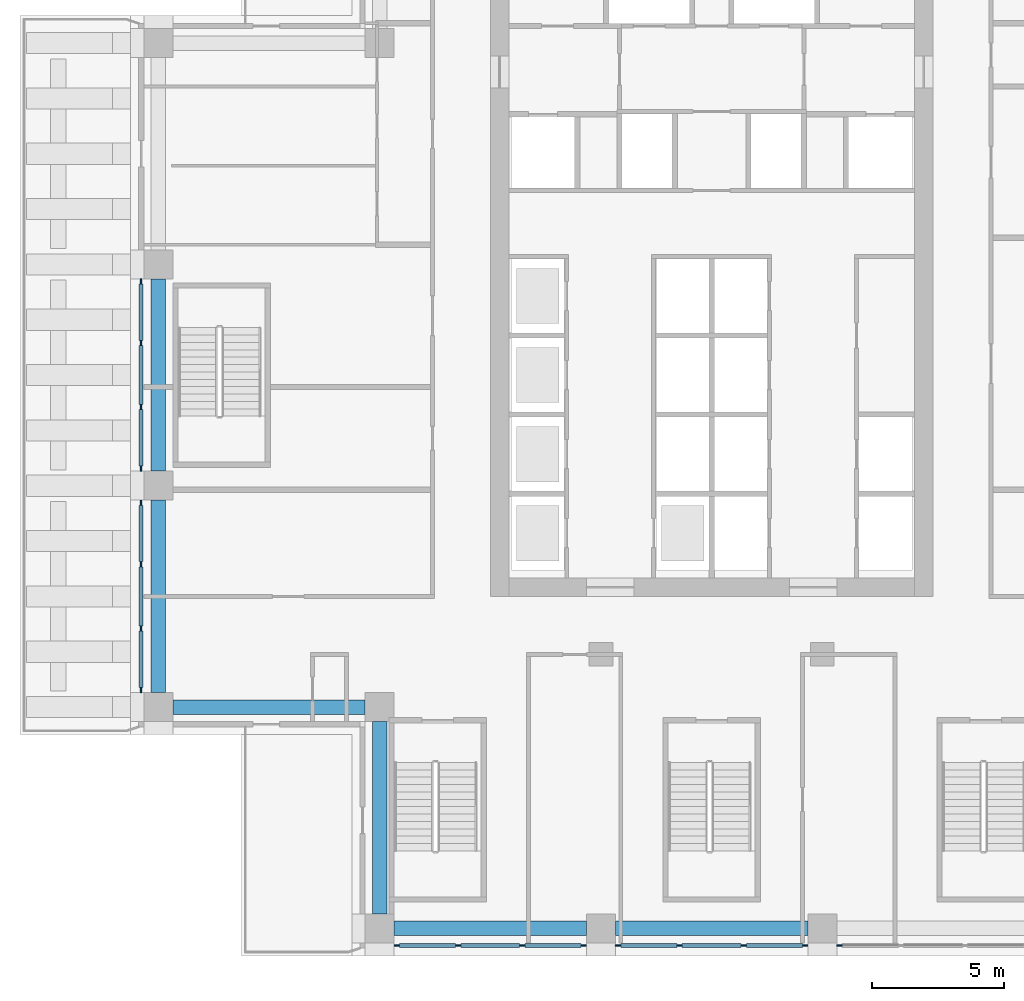
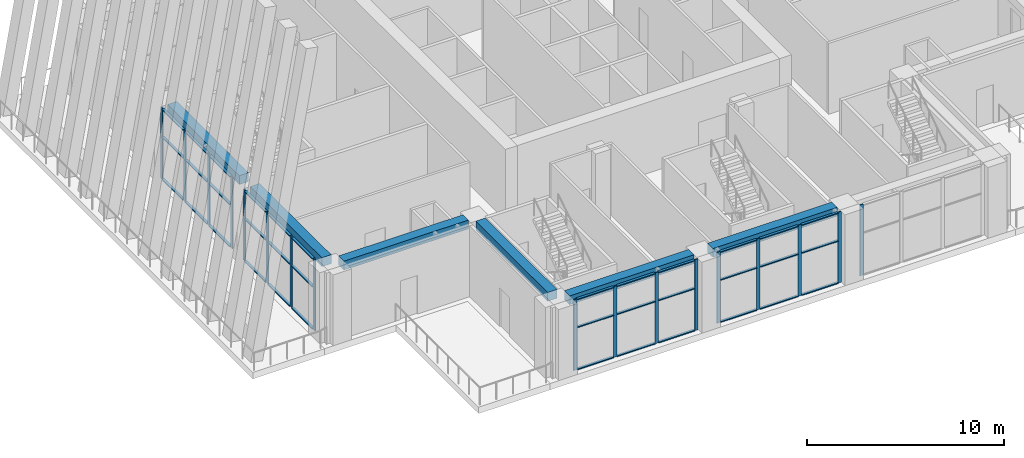
# One storey, part 2 of 19: 53 members, 6 beams, 5 elements without a shape of their own.
"""IFC4 building model written with IfcOpenShell, lengths in metres."""

from ifc_helpers import new_model, si_unit, direction, frame, origin, origin_2d, place, context, subcontext, project, spatial, rectangle, extrude, material, material_profile, profile_set, type_object, element, aggregate, save


model = new_model("IFC4")

# Units and contexts
model_context = context("Model", 3, precision=1e-05, world=origin(), true_north=direction((0.0, 1.0)))
body_context = subcontext(model_context, "Body", "Model", "MODEL_VIEW")
ifc_project = project(units=[si_unit("LENGTHUNIT", "METRE"), si_unit("AREAUNIT", "SQUARE_METRE"), si_unit("VOLUMEUNIT", "CUBIC_METRE"), si_unit("PLANEANGLEUNIT", "RADIAN"), si_unit("MASSUNIT", "GRAM", prefix="KILO")], contexts=[model_context])

# Site, building, storey
site_placement = place(None, origin())
site = spatial("IfcSite", under=ifc_project, at=site_placement, CompositionType="ELEMENT")
building_placement = place(site_placement, origin())
building = spatial("IfcBuilding", under=site, at=building_placement, Name="Vermilion Ogive Tower", CompositionType="ELEMENT")
storey_placement = place(building_placement, frame((0.0, 0.0, 128.300048828125)))
storey = spatial("IfcBuildingStorey", under=building, at=storey_placement, Name="L32", CompositionType="ELEMENT", Elevation=128.300048828125)

# Curtain wall, members
ifc_material_1 = material(Name="Low-iron laminated glazing in aluminium frame", Category="aluminium")
curtain_wall_type = type_object("IfcCurtainWallType", Name="Curtain wall CW6", PredefinedType="NOTDEFINED", material=ifc_material_1)
curtain_wall_1_placement = place(storey_placement, origin())
curtain_wall_1 = element("IfcCurtainWall", 1, at=curtain_wall_1_placement, inside=storey, type_object=curtain_wall_type, Name="CW6 sky lobby glazing S1", PredefinedType="NOTDEFINED")
ifc_material_2 = material(Name="Aluminium mullion", Category="aluminium")
ifc_material_profile_1 = material_profile(ifc_material_2, rectangle(XDim=0.06005859375, YDim=0.199951171875, at=origin_2d()), Name="AL 60x200")
ifc_profile_set_1 = profile_set([ifc_material_profile_1], Name="Aluminium mullion")
member_type_1 = type_object("IfcMemberType", Name="CW6 mullion 60x200", PredefinedType="MULLION", material=ifc_profile_set_1)
member_1_placement = place(storey_placement, frame((-11.949951171875, -21.64990234375, 0.0), z_axis=(0.0, 0.0, 1.0), x_axis=(0.0, 1.0, 0.0)))
member_1 = element("IfcMember", 2, at=member_1_placement, type_object=member_type_1, Name="CW6-S1 mullion 1", PredefinedType="MULLION", context=body_context, shape_type="SweptSolid", body=[
    extrude(rectangle(XDim=0.06005859375, YDim=0.199951171875, at=origin_2d()), origin(), (0.0, 0.0, 1.0), 4.39990234375),
])
member_2_placement = place(storey_placement, frame((-9.61669921875, -21.64990234375, 0.0), z_axis=(0.0, 0.0, 1.0), x_axis=(0.0, 1.0, 0.0)))
member_2 = element("IfcMember", 3, at=member_2_placement, type_object=member_type_1, Name="CW6-S1 mullion 2", PredefinedType="MULLION", context=body_context, shape_type="SweptSolid", body=[
    extrude(rectangle(XDim=0.06005859375, YDim=0.199951171875, at=origin_2d()), origin(), (0.0, 0.0, 1.0), 4.39990234375),
])
member_3_placement = place(storey_placement, frame((-7.183349609375, -21.64990234375, 0.0), z_axis=(0.0, 0.0, 1.0), x_axis=(0.0, 1.0, 0.0)))
member_3 = element("IfcMember", 4, at=member_3_placement, type_object=member_type_1, Name="CW6-S1 mullion 3", PredefinedType="MULLION", context=body_context, shape_type="SweptSolid", body=[
    extrude(rectangle(XDim=0.06005859375, YDim=0.199951171875, at=origin_2d()), origin(), (0.0, 0.0, 1.0), 4.39990234375),
])
member_4_placement = place(storey_placement, frame((-4.85009765625, -21.64990234375, 0.0), z_axis=(0.0, 0.0, 1.0), x_axis=(0.0, 1.0, 0.0)))
member_4 = element("IfcMember", 5, at=member_4_placement, type_object=member_type_1, Name="CW6-S1 mullion 4", PredefinedType="MULLION", context=body_context, shape_type="SweptSolid", body=[
    extrude(rectangle(XDim=0.06005859375, YDim=0.199951171875, at=origin_2d()), origin(), (0.0, 0.0, 1.0), 4.39990234375),
])

curtain_wall_2_placement = place(storey_placement, origin())
curtain_wall_2 = element("IfcCurtainWall", 6, at=curtain_wall_2_placement, inside=storey, type_object=curtain_wall_type, Name="CW6 sky lobby glazing S2", PredefinedType="NOTDEFINED")
member_5_placement = place(storey_placement, frame((-3.550048828125, -21.64990234375, 0.0), z_axis=(0.0, 0.0, 1.0), x_axis=(0.0, 1.0, 0.0)))
member_5 = element("IfcMember", 7, at=member_5_placement, type_object=member_type_1, Name="CW6-S2 mullion 1", PredefinedType="MULLION", context=body_context, shape_type="SweptSolid", body=[
    extrude(rectangle(XDim=0.06005859375, YDim=0.199951171875, at=origin_2d()), origin(), (0.0, 0.0, 1.0), 4.39990234375),
])
member_6_placement = place(storey_placement, frame((-1.216552734375, -21.64990234375, 0.0), z_axis=(0.0, 0.0, 1.0), x_axis=(0.0, 1.0, 0.0)))
member_6 = element("IfcMember", 8, at=member_6_placement, type_object=member_type_1, Name="CW6-S2 mullion 2", PredefinedType="MULLION", context=body_context, shape_type="SweptSolid", body=[
    extrude(rectangle(XDim=0.06005859375, YDim=0.199951171875, at=origin_2d()), origin(), (0.0, 0.0, 1.0), 4.39990234375),
])
member_7_placement = place(storey_placement, frame((1.216552734375, -21.64990234375, 0.0), z_axis=(0.0, 0.0, 1.0), x_axis=(0.0, 1.0, 0.0)))
member_7 = element("IfcMember", 9, at=member_7_placement, type_object=member_type_1, Name="CW6-S2 mullion 3", PredefinedType="MULLION", context=body_context, shape_type="SweptSolid", body=[
    extrude(rectangle(XDim=0.06005859375, YDim=0.199951171875, at=origin_2d()), origin(), (0.0, 0.0, 1.0), 4.39990234375),
])
member_8_placement = place(storey_placement, frame((3.550048828125, -21.64990234375, 0.0), z_axis=(0.0, 0.0, 1.0), x_axis=(0.0, 1.0, 0.0)))
member_8 = element("IfcMember", 10, at=member_8_placement, type_object=member_type_1, Name="CW6-S2 mullion 4", PredefinedType="MULLION", context=body_context, shape_type="SweptSolid", body=[
    extrude(rectangle(XDim=0.06005859375, YDim=0.199951171875, at=origin_2d()), origin(), (0.0, 0.0, 1.0), 4.39990234375),
])

# Curtain wall, member
curtain_wall_3_placement = place(storey_placement, origin())
curtain_wall_3 = element("IfcCurtainWall", 11, at=curtain_wall_3_placement, inside=storey, type_object=curtain_wall_type, Name="CW6 sky lobby glazing S3", PredefinedType="NOTDEFINED")
member_9_placement = place(storey_placement, frame((4.85009765625, -21.64990234375, 0.0), z_axis=(0.0, 0.0, 1.0), x_axis=(0.0, 1.0, 0.0)))
member_9 = element("IfcMember", 12, at=member_9_placement, type_object=member_type_1, Name="CW6-S3 mullion 1", PredefinedType="MULLION", context=body_context, shape_type="SweptSolid", body=[
    extrude(rectangle(XDim=0.06005859375, YDim=0.199951171875, at=origin_2d()), origin(), (0.0, 0.0, 1.0), 4.39990234375),
])
aggregate(curtain_wall_3, [member_9])

# Curtain wall, members
curtain_wall_4_placement = place(storey_placement, origin())
curtain_wall_4 = element("IfcCurtainWall", 13, at=curtain_wall_4_placement, inside=storey, type_object=curtain_wall_type, Name="CW6 sky lobby glazing W2", PredefinedType="NOTDEFINED")
member_10_placement = place(storey_placement, frame((-21.64990234375, 3.550048828125, 0.0), z_axis=(0.0, 0.0, 1.0), x_axis=(1.0, 0.0, 0.0)))
member_10 = element("IfcMember", 14, at=member_10_placement, type_object=member_type_1, Name="CW6-W2 mullion 1", PredefinedType="MULLION", context=body_context, shape_type="SweptSolid", body=[
    extrude(rectangle(XDim=0.06005859375, YDim=0.199951171875, at=origin_2d()), origin(), (0.0, 0.0, 1.0), 4.39990234375),
])
member_11_placement = place(storey_placement, frame((-21.64990234375, 1.216552734375, 0.0), z_axis=(0.0, 0.0, 1.0), x_axis=(1.0, 0.0, 0.0)))
member_11 = element("IfcMember", 15, at=member_11_placement, type_object=member_type_1, Name="CW6-W2 mullion 2", PredefinedType="MULLION", context=body_context, shape_type="SweptSolid", body=[
    extrude(rectangle(XDim=0.06005859375, YDim=0.199951171875, at=origin_2d()), origin(), (0.0, 0.0, 1.0), 4.39990234375),
])
member_12_placement = place(storey_placement, frame((-21.64990234375, -1.216552734375, 0.0), z_axis=(0.0, 0.0, 1.0), x_axis=(1.0, 0.0, 0.0)))
member_12 = element("IfcMember", 16, at=member_12_placement, type_object=member_type_1, Name="CW6-W2 mullion 3", PredefinedType="MULLION", context=body_context, shape_type="SweptSolid", body=[
    extrude(rectangle(XDim=0.06005859375, YDim=0.199951171875, at=origin_2d()), origin(), (0.0, 0.0, 1.0), 4.39990234375),
])
member_13_placement = place(storey_placement, frame((-21.64990234375, -3.550048828125, 0.0), z_axis=(0.0, 0.0, 1.0), x_axis=(1.0, 0.0, 0.0)))
member_13 = element("IfcMember", 17, at=member_13_placement, type_object=member_type_1, Name="CW6-W2 mullion 4", PredefinedType="MULLION", context=body_context, shape_type="SweptSolid", body=[
    extrude(rectangle(XDim=0.06005859375, YDim=0.199951171875, at=origin_2d()), origin(), (0.0, 0.0, 1.0), 4.39990234375),
])

curtain_wall_5_placement = place(storey_placement, origin())
curtain_wall_5 = element("IfcCurtainWall", 18, at=curtain_wall_5_placement, inside=storey, type_object=curtain_wall_type, Name="CW6 sky lobby glazing W3", PredefinedType="NOTDEFINED")
member_14_placement = place(storey_placement, frame((-21.64990234375, -4.85009765625, 0.0), z_axis=(0.0, 0.0, 1.0), x_axis=(1.0, 0.0, 0.0)))
member_14 = element("IfcMember", 19, at=member_14_placement, type_object=member_type_1, Name="CW6-W3 mullion 1", PredefinedType="MULLION", context=body_context, shape_type="SweptSolid", body=[
    extrude(rectangle(XDim=0.06005859375, YDim=0.199951171875, at=origin_2d()), origin(), (0.0, 0.0, 1.0), 4.39990234375),
])
member_15_placement = place(storey_placement, frame((-21.64990234375, -7.183349609375, 0.0), z_axis=(0.0, 0.0, 1.0), x_axis=(1.0, 0.0, 0.0)))
member_15 = element("IfcMember", 20, at=member_15_placement, type_object=member_type_1, Name="CW6-W3 mullion 2", PredefinedType="MULLION", context=body_context, shape_type="SweptSolid", body=[
    extrude(rectangle(XDim=0.06005859375, YDim=0.199951171875, at=origin_2d()), origin(), (0.0, 0.0, 1.0), 4.39990234375),
])
member_16_placement = place(storey_placement, frame((-21.64990234375, -9.61669921875, 0.0), z_axis=(0.0, 0.0, 1.0), x_axis=(1.0, 0.0, 0.0)))
member_16 = element("IfcMember", 21, at=member_16_placement, type_object=member_type_1, Name="CW6-W3 mullion 3", PredefinedType="MULLION", context=body_context, shape_type="SweptSolid", body=[
    extrude(rectangle(XDim=0.06005859375, YDim=0.199951171875, at=origin_2d()), origin(), (0.0, 0.0, 1.0), 4.39990234375),
])
member_17_placement = place(storey_placement, frame((-21.64990234375, -11.949951171875, 0.0), z_axis=(0.0, 0.0, 1.0), x_axis=(1.0, 0.0, 0.0)))
member_17 = element("IfcMember", 22, at=member_17_placement, type_object=member_type_1, Name="CW6-W3 mullion 4", PredefinedType="MULLION", context=body_context, shape_type="SweptSolid", body=[
    extrude(rectangle(XDim=0.06005859375, YDim=0.199951171875, at=origin_2d()), origin(), (0.0, 0.0, 1.0), 4.39990234375),
])

# Member
ifc_material_3 = material(Name="Aluminium transom", Category="aluminium")
ifc_material_profile_2 = material_profile(ifc_material_3, rectangle(XDim=0.14990234375, YDim=0.06005859375, at=origin_2d()), Name="AL 60x150")
ifc_profile_set_2 = profile_set([ifc_material_profile_2], Name="Aluminium transom")
member_type_2 = type_object("IfcMemberType", Name="CW6 transom 60x150", PredefinedType="USERDEFINED", material=ifc_profile_set_2)
member_18_placement = place(storey_placement, frame((-11.85009765625, -21.64990234375, 0.030029296875), z_axis=(1.0, 0.0, 0.0), x_axis=(0.0, 1.0, 0.0)))
member_18 = element("IfcMember", 23, at=member_18_placement, type_object=member_type_2, Name="CW6-S1 transom 1.1", ObjectType="TRANSOM", PredefinedType="USERDEFINED", context=body_context, shape_type="SweptSolid", body=[
    extrude(rectangle(XDim=0.14990234375, YDim=0.06005859375, at=origin_2d()), origin(), (0.0, 0.0, 1.0), 2.133544921875),
])

member_19_placement = place(storey_placement, frame((-11.85009765625, -21.64990234375, 2.639892578125), z_axis=(1.0, 0.0, 0.0), x_axis=(0.0, 1.0, 0.0)))
member_19 = element("IfcMember", 24, at=member_19_placement, type_object=member_type_2, Name="CW6-S1 transom 1.2", ObjectType="TRANSOM", PredefinedType="USERDEFINED", context=body_context, shape_type="SweptSolid", body=[
    extrude(rectangle(XDim=0.14990234375, YDim=0.06005859375, at=origin_2d()), origin(), (0.0, 0.0, 1.0), 2.133544921875),
])

member_20_placement = place(storey_placement, frame((-11.85009765625, -21.64990234375, 4.369873046875), z_axis=(1.0, 0.0, 0.0), x_axis=(0.0, 1.0, 0.0)))
member_20 = element("IfcMember", 25, at=member_20_placement, type_object=member_type_2, Name="CW6-S1 transom 1.3", ObjectType="TRANSOM", PredefinedType="USERDEFINED", context=body_context, shape_type="SweptSolid", body=[
    extrude(rectangle(XDim=0.14990234375, YDim=0.06005859375, at=origin_2d()), origin(), (0.0, 0.0, 1.0), 2.133544921875),
])

member_21_placement = place(storey_placement, frame((-9.5166015625, -21.64990234375, 0.030029296875), z_axis=(1.0, 0.0, 0.0), x_axis=(0.0, 1.0, 0.0)))
member_21 = element("IfcMember", 26, at=member_21_placement, type_object=member_type_2, Name="CW6-S1 transom 2.1", ObjectType="TRANSOM", PredefinedType="USERDEFINED", context=body_context, shape_type="SweptSolid", body=[
    extrude(rectangle(XDim=0.14990234375, YDim=0.06005859375, at=origin_2d()), origin(), (0.0, 0.0, 1.0), 2.233154296875),
])

member_22_placement = place(storey_placement, frame((-9.5166015625, -21.64990234375, 2.639892578125), z_axis=(1.0, 0.0, 0.0), x_axis=(0.0, 1.0, 0.0)))
member_22 = element("IfcMember", 27, at=member_22_placement, type_object=member_type_2, Name="CW6-S1 transom 2.2", ObjectType="TRANSOM", PredefinedType="USERDEFINED", context=body_context, shape_type="SweptSolid", body=[
    extrude(rectangle(XDim=0.14990234375, YDim=0.06005859375, at=origin_2d()), origin(), (0.0, 0.0, 1.0), 2.233154296875),
])

member_23_placement = place(storey_placement, frame((-9.5166015625, -21.64990234375, 4.369873046875), z_axis=(1.0, 0.0, 0.0), x_axis=(0.0, 1.0, 0.0)))
member_23 = element("IfcMember", 28, at=member_23_placement, type_object=member_type_2, Name="CW6-S1 transom 2.3", ObjectType="TRANSOM", PredefinedType="USERDEFINED", context=body_context, shape_type="SweptSolid", body=[
    extrude(rectangle(XDim=0.14990234375, YDim=0.06005859375, at=origin_2d()), origin(), (0.0, 0.0, 1.0), 2.233154296875),
])

member_24_placement = place(storey_placement, frame((-7.083251953125, -21.64990234375, 0.030029296875), z_axis=(1.0, 0.0, 0.0), x_axis=(0.0, 1.0, 0.0)))
member_24 = element("IfcMember", 29, at=member_24_placement, type_object=member_type_2, Name="CW6-S1 transom 3.1", ObjectType="TRANSOM", PredefinedType="USERDEFINED", context=body_context, shape_type="SweptSolid", body=[
    extrude(rectangle(XDim=0.14990234375, YDim=0.06005859375, at=origin_2d()), origin(), (0.0, 0.0, 1.0), 2.13330078125),
])

member_25_placement = place(storey_placement, frame((-7.083251953125, -21.64990234375, 2.639892578125), z_axis=(1.0, 0.0, 0.0), x_axis=(0.0, 1.0, 0.0)))
member_25 = element("IfcMember", 30, at=member_25_placement, type_object=member_type_2, Name="CW6-S1 transom 3.2", ObjectType="TRANSOM", PredefinedType="USERDEFINED", context=body_context, shape_type="SweptSolid", body=[
    extrude(rectangle(XDim=0.14990234375, YDim=0.06005859375, at=origin_2d()), origin(), (0.0, 0.0, 1.0), 2.13330078125),
])

member_26_placement = place(storey_placement, frame((-7.083251953125, -21.64990234375, 4.369873046875), z_axis=(1.0, 0.0, 0.0), x_axis=(0.0, 1.0, 0.0)))
member_26 = element("IfcMember", 31, at=member_26_placement, type_object=member_type_2, Name="CW6-S1 transom 3.3", ObjectType="TRANSOM", PredefinedType="USERDEFINED", context=body_context, shape_type="SweptSolid", body=[
    extrude(rectangle(XDim=0.14990234375, YDim=0.06005859375, at=origin_2d()), origin(), (0.0, 0.0, 1.0), 2.13330078125),
])

aggregate(curtain_wall_1, [member_1, member_2, member_3, member_4, member_18, member_19, member_20, member_21, member_22, member_23, member_24, member_25, member_26])

member_27_placement = place(storey_placement, frame((-3.449951171875, -21.64990234375, 0.030029296875), z_axis=(1.0, 0.0, 0.0), x_axis=(0.0, 1.0, 0.0)))
member_27 = element("IfcMember", 32, at=member_27_placement, type_object=member_type_2, Name="CW6-S2 transom 1.1", ObjectType="TRANSOM", PredefinedType="USERDEFINED", context=body_context, shape_type="SweptSolid", body=[
    extrude(rectangle(XDim=0.14990234375, YDim=0.06005859375, at=origin_2d()), origin(), (0.0, 0.0, 1.0), 2.13330078125),
])

member_28_placement = place(storey_placement, frame((-3.449951171875, -21.64990234375, 2.639892578125), z_axis=(1.0, 0.0, 0.0), x_axis=(0.0, 1.0, 0.0)))
member_28 = element("IfcMember", 33, at=member_28_placement, type_object=member_type_2, Name="CW6-S2 transom 1.2", ObjectType="TRANSOM", PredefinedType="USERDEFINED", context=body_context, shape_type="SweptSolid", body=[
    extrude(rectangle(XDim=0.14990234375, YDim=0.06005859375, at=origin_2d()), origin(), (0.0, 0.0, 1.0), 2.13330078125),
])

member_29_placement = place(storey_placement, frame((-3.449951171875, -21.64990234375, 4.369873046875), z_axis=(1.0, 0.0, 0.0), x_axis=(0.0, 1.0, 0.0)))
member_29 = element("IfcMember", 34, at=member_29_placement, type_object=member_type_2, Name="CW6-S2 transom 1.3", ObjectType="TRANSOM", PredefinedType="USERDEFINED", context=body_context, shape_type="SweptSolid", body=[
    extrude(rectangle(XDim=0.14990234375, YDim=0.06005859375, at=origin_2d()), origin(), (0.0, 0.0, 1.0), 2.13330078125),
])

member_30_placement = place(storey_placement, frame((-1.11669921875, -21.64990234375, 0.030029296875), z_axis=(1.0, 0.0, 0.0), x_axis=(0.0, 1.0, 0.0)))
member_30 = element("IfcMember", 35, at=member_30_placement, type_object=member_type_2, Name="CW6-S2 transom 2.1", ObjectType="TRANSOM", PredefinedType="USERDEFINED", context=body_context, shape_type="SweptSolid", body=[
    extrude(rectangle(XDim=0.14990234375, YDim=0.06005859375, at=origin_2d()), origin(), (0.0, 0.0, 1.0), 2.2333984375),
])

member_31_placement = place(storey_placement, frame((-1.11669921875, -21.64990234375, 2.639892578125), z_axis=(1.0, 0.0, 0.0), x_axis=(0.0, 1.0, 0.0)))
member_31 = element("IfcMember", 36, at=member_31_placement, type_object=member_type_2, Name="CW6-S2 transom 2.2", ObjectType="TRANSOM", PredefinedType="USERDEFINED", context=body_context, shape_type="SweptSolid", body=[
    extrude(rectangle(XDim=0.14990234375, YDim=0.06005859375, at=origin_2d()), origin(), (0.0, 0.0, 1.0), 2.2333984375),
])

member_32_placement = place(storey_placement, frame((-1.11669921875, -21.64990234375, 4.369873046875), z_axis=(1.0, 0.0, 0.0), x_axis=(0.0, 1.0, 0.0)))
member_32 = element("IfcMember", 37, at=member_32_placement, type_object=member_type_2, Name="CW6-S2 transom 2.3", ObjectType="TRANSOM", PredefinedType="USERDEFINED", context=body_context, shape_type="SweptSolid", body=[
    extrude(rectangle(XDim=0.14990234375, YDim=0.06005859375, at=origin_2d()), origin(), (0.0, 0.0, 1.0), 2.2333984375),
])

member_33_placement = place(storey_placement, frame((1.316650390625, -21.64990234375, 0.030029296875), z_axis=(1.0, 0.0, 0.0), x_axis=(0.0, 1.0, 0.0)))
member_33 = element("IfcMember", 38, at=member_33_placement, type_object=member_type_2, Name="CW6-S2 transom 3.1", ObjectType="TRANSOM", PredefinedType="USERDEFINED", context=body_context, shape_type="SweptSolid", body=[
    extrude(rectangle(XDim=0.14990234375, YDim=0.06005859375, at=origin_2d()), origin(), (0.0, 0.0, 1.0), 2.13330078125),
])

member_34_placement = place(storey_placement, frame((1.316650390625, -21.64990234375, 2.639892578125), z_axis=(1.0, 0.0, 0.0), x_axis=(0.0, 1.0, 0.0)))
member_34 = element("IfcMember", 39, at=member_34_placement, type_object=member_type_2, Name="CW6-S2 transom 3.2", ObjectType="TRANSOM", PredefinedType="USERDEFINED", context=body_context, shape_type="SweptSolid", body=[
    extrude(rectangle(XDim=0.14990234375, YDim=0.06005859375, at=origin_2d()), origin(), (0.0, 0.0, 1.0), 2.13330078125),
])

member_35_placement = place(storey_placement, frame((1.316650390625, -21.64990234375, 4.369873046875), z_axis=(1.0, 0.0, 0.0), x_axis=(0.0, 1.0, 0.0)))
member_35 = element("IfcMember", 40, at=member_35_placement, type_object=member_type_2, Name="CW6-S2 transom 3.3", ObjectType="TRANSOM", PredefinedType="USERDEFINED", context=body_context, shape_type="SweptSolid", body=[
    extrude(rectangle(XDim=0.14990234375, YDim=0.06005859375, at=origin_2d()), origin(), (0.0, 0.0, 1.0), 2.13330078125),
])

aggregate(curtain_wall_2, [member_5, member_6, member_7, member_8, member_27, member_28, member_29, member_30, member_31, member_32, member_33, member_34, member_35])

member_36_placement = place(storey_placement, frame((-21.64990234375, 3.449951171875, 0.030029296875), z_axis=(0.0, -1.0, 0.0), x_axis=(1.0, 0.0, 0.0)))
member_36 = element("IfcMember", 41, at=member_36_placement, type_object=member_type_2, Name="CW6-W2 transom 1.1", ObjectType="TRANSOM", PredefinedType="USERDEFINED", context=body_context, shape_type="SweptSolid", body=[
    extrude(rectangle(XDim=0.14990234375, YDim=0.06005859375, at=origin_2d()), origin(), (0.0, 0.0, 1.0), 2.13330078125),
])

member_37_placement = place(storey_placement, frame((-21.64990234375, 3.449951171875, 2.639892578125), z_axis=(0.0, -1.0, 0.0), x_axis=(1.0, 0.0, 0.0)))
member_37 = element("IfcMember", 42, at=member_37_placement, type_object=member_type_2, Name="CW6-W2 transom 1.2", ObjectType="TRANSOM", PredefinedType="USERDEFINED", context=body_context, shape_type="SweptSolid", body=[
    extrude(rectangle(XDim=0.14990234375, YDim=0.06005859375, at=origin_2d()), origin(), (0.0, 0.0, 1.0), 2.13330078125),
])

member_38_placement = place(storey_placement, frame((-21.64990234375, 3.449951171875, 4.369873046875), z_axis=(0.0, -1.0, 0.0), x_axis=(1.0, 0.0, 0.0)))
member_38 = element("IfcMember", 43, at=member_38_placement, type_object=member_type_2, Name="CW6-W2 transom 1.3", ObjectType="TRANSOM", PredefinedType="USERDEFINED", context=body_context, shape_type="SweptSolid", body=[
    extrude(rectangle(XDim=0.14990234375, YDim=0.06005859375, at=origin_2d()), origin(), (0.0, 0.0, 1.0), 2.13330078125),
])

member_39_placement = place(storey_placement, frame((-21.64990234375, 1.11669921875, 0.030029296875), z_axis=(0.0, -1.0, 0.0), x_axis=(1.0, 0.0, 0.0)))
member_39 = element("IfcMember", 44, at=member_39_placement, type_object=member_type_2, Name="CW6-W2 transom 2.1", ObjectType="TRANSOM", PredefinedType="USERDEFINED", context=body_context, shape_type="SweptSolid", body=[
    extrude(rectangle(XDim=0.14990234375, YDim=0.06005859375, at=origin_2d()), origin(), (0.0, 0.0, 1.0), 2.2333984375),
])

member_40_placement = place(storey_placement, frame((-21.64990234375, 1.11669921875, 2.639892578125), z_axis=(0.0, -1.0, 0.0), x_axis=(1.0, 0.0, 0.0)))
member_40 = element("IfcMember", 45, at=member_40_placement, type_object=member_type_2, Name="CW6-W2 transom 2.2", ObjectType="TRANSOM", PredefinedType="USERDEFINED", context=body_context, shape_type="SweptSolid", body=[
    extrude(rectangle(XDim=0.14990234375, YDim=0.06005859375, at=origin_2d()), origin(), (0.0, 0.0, 1.0), 2.2333984375),
])

member_41_placement = place(storey_placement, frame((-21.64990234375, 1.11669921875, 4.369873046875), z_axis=(0.0, -1.0, 0.0), x_axis=(1.0, 0.0, 0.0)))
member_41 = element("IfcMember", 46, at=member_41_placement, type_object=member_type_2, Name="CW6-W2 transom 2.3", ObjectType="TRANSOM", PredefinedType="USERDEFINED", context=body_context, shape_type="SweptSolid", body=[
    extrude(rectangle(XDim=0.14990234375, YDim=0.06005859375, at=origin_2d()), origin(), (0.0, 0.0, 1.0), 2.2333984375),
])

member_42_placement = place(storey_placement, frame((-21.64990234375, -1.316650390625, 0.030029296875), z_axis=(0.0, -1.0, 0.0), x_axis=(1.0, 0.0, 0.0)))
member_42 = element("IfcMember", 47, at=member_42_placement, type_object=member_type_2, Name="CW6-W2 transom 3.1", ObjectType="TRANSOM", PredefinedType="USERDEFINED", context=body_context, shape_type="SweptSolid", body=[
    extrude(rectangle(XDim=0.14990234375, YDim=0.06005859375, at=origin_2d()), origin(), (0.0, 0.0, 1.0), 2.13330078125),
])

member_43_placement = place(storey_placement, frame((-21.64990234375, -1.316650390625, 2.639892578125), z_axis=(0.0, -1.0, 0.0), x_axis=(1.0, 0.0, 0.0)))
member_43 = element("IfcMember", 48, at=member_43_placement, type_object=member_type_2, Name="CW6-W2 transom 3.2", ObjectType="TRANSOM", PredefinedType="USERDEFINED", context=body_context, shape_type="SweptSolid", body=[
    extrude(rectangle(XDim=0.14990234375, YDim=0.06005859375, at=origin_2d()), origin(), (0.0, 0.0, 1.0), 2.13330078125),
])

member_44_placement = place(storey_placement, frame((-21.64990234375, -1.316650390625, 4.369873046875), z_axis=(0.0, -1.0, 0.0), x_axis=(1.0, 0.0, 0.0)))
member_44 = element("IfcMember", 49, at=member_44_placement, type_object=member_type_2, Name="CW6-W2 transom 3.3", ObjectType="TRANSOM", PredefinedType="USERDEFINED", context=body_context, shape_type="SweptSolid", body=[
    extrude(rectangle(XDim=0.14990234375, YDim=0.06005859375, at=origin_2d()), origin(), (0.0, 0.0, 1.0), 2.13330078125),
])

aggregate(curtain_wall_4, [member_10, member_11, member_12, member_13, member_36, member_37, member_38, member_39, member_40, member_41, member_42, member_43, member_44])

member_45_placement = place(storey_placement, frame((-21.64990234375, -4.949951171875, 0.030029296875), z_axis=(0.0, -1.0, 0.0), x_axis=(1.0, 0.0, 0.0)))
member_45 = element("IfcMember", 50, at=member_45_placement, type_object=member_type_2, Name="CW6-W3 transom 1.1", ObjectType="TRANSOM", PredefinedType="USERDEFINED", context=body_context, shape_type="SweptSolid", body=[
    extrude(rectangle(XDim=0.14990234375, YDim=0.06005859375, at=origin_2d()), origin(), (0.0, 0.0, 1.0), 2.13330078125),
])

member_46_placement = place(storey_placement, frame((-21.64990234375, -4.949951171875, 2.639892578125), z_axis=(0.0, -1.0, 0.0), x_axis=(1.0, 0.0, 0.0)))
member_46 = element("IfcMember", 51, at=member_46_placement, type_object=member_type_2, Name="CW6-W3 transom 1.2", ObjectType="TRANSOM", PredefinedType="USERDEFINED", context=body_context, shape_type="SweptSolid", body=[
    extrude(rectangle(XDim=0.14990234375, YDim=0.06005859375, at=origin_2d()), origin(), (0.0, 0.0, 1.0), 2.13330078125),
])

member_47_placement = place(storey_placement, frame((-21.64990234375, -4.949951171875, 4.369873046875), z_axis=(0.0, -1.0, 0.0), x_axis=(1.0, 0.0, 0.0)))
member_47 = element("IfcMember", 52, at=member_47_placement, type_object=member_type_2, Name="CW6-W3 transom 1.3", ObjectType="TRANSOM", PredefinedType="USERDEFINED", context=body_context, shape_type="SweptSolid", body=[
    extrude(rectangle(XDim=0.14990234375, YDim=0.06005859375, at=origin_2d()), origin(), (0.0, 0.0, 1.0), 2.13330078125),
])

member_48_placement = place(storey_placement, frame((-21.64990234375, -7.283447265625, 0.030029296875), z_axis=(0.0, -1.0, 0.0), x_axis=(1.0, 0.0, 0.0)))
member_48 = element("IfcMember", 53, at=member_48_placement, type_object=member_type_2, Name="CW6-W3 transom 2.1", ObjectType="TRANSOM", PredefinedType="USERDEFINED", context=body_context, shape_type="SweptSolid", body=[
    extrude(rectangle(XDim=0.14990234375, YDim=0.06005859375, at=origin_2d()), origin(), (0.0, 0.0, 1.0), 2.233154296875),
])

member_49_placement = place(storey_placement, frame((-21.64990234375, -7.283447265625, 2.639892578125), z_axis=(0.0, -1.0, 0.0), x_axis=(1.0, 0.0, 0.0)))
member_49 = element("IfcMember", 54, at=member_49_placement, type_object=member_type_2, Name="CW6-W3 transom 2.2", ObjectType="TRANSOM", PredefinedType="USERDEFINED", context=body_context, shape_type="SweptSolid", body=[
    extrude(rectangle(XDim=0.14990234375, YDim=0.06005859375, at=origin_2d()), origin(), (0.0, 0.0, 1.0), 2.233154296875),
])

member_50_placement = place(storey_placement, frame((-21.64990234375, -7.283447265625, 4.369873046875), z_axis=(0.0, -1.0, 0.0), x_axis=(1.0, 0.0, 0.0)))
member_50 = element("IfcMember", 55, at=member_50_placement, type_object=member_type_2, Name="CW6-W3 transom 2.3", ObjectType="TRANSOM", PredefinedType="USERDEFINED", context=body_context, shape_type="SweptSolid", body=[
    extrude(rectangle(XDim=0.14990234375, YDim=0.06005859375, at=origin_2d()), origin(), (0.0, 0.0, 1.0), 2.233154296875),
])

member_51_placement = place(storey_placement, frame((-21.64990234375, -9.716552734375, 0.030029296875), z_axis=(0.0, -1.0, 0.0), x_axis=(1.0, 0.0, 0.0)))
member_51 = element("IfcMember", 56, at=member_51_placement, type_object=member_type_2, Name="CW6-W3 transom 3.1", ObjectType="TRANSOM", PredefinedType="USERDEFINED", context=body_context, shape_type="SweptSolid", body=[
    extrude(rectangle(XDim=0.14990234375, YDim=0.06005859375, at=origin_2d()), origin(), (0.0, 0.0, 1.0), 2.133544921875),
])

member_52_placement = place(storey_placement, frame((-21.64990234375, -9.716552734375, 2.639892578125), z_axis=(0.0, -1.0, 0.0), x_axis=(1.0, 0.0, 0.0)))
member_52 = element("IfcMember", 57, at=member_52_placement, type_object=member_type_2, Name="CW6-W3 transom 3.2", ObjectType="TRANSOM", PredefinedType="USERDEFINED", context=body_context, shape_type="SweptSolid", body=[
    extrude(rectangle(XDim=0.14990234375, YDim=0.06005859375, at=origin_2d()), origin(), (0.0, 0.0, 1.0), 2.133544921875),
])

member_53_placement = place(storey_placement, frame((-21.64990234375, -9.716552734375, 4.369873046875), z_axis=(0.0, -1.0, 0.0), x_axis=(1.0, 0.0, 0.0)))
member_53 = element("IfcMember", 58, at=member_53_placement, type_object=member_type_2, Name="CW6-W3 transom 3.3", ObjectType="TRANSOM", PredefinedType="USERDEFINED", context=body_context, shape_type="SweptSolid", body=[
    extrude(rectangle(XDim=0.14990234375, YDim=0.06005859375, at=origin_2d()), origin(), (0.0, 0.0, 1.0), 2.133544921875),
])

aggregate(curtain_wall_5, [member_14, member_15, member_16, member_17, member_45, member_46, member_47, member_48, member_49, member_50, member_51, member_52, member_53])

# Beams
ifc_material_4 = material(Name="Concrete B45", Category="concrete")
ifc_material_profile_3 = material_profile(ifc_material_4, rectangle(XDim=0.550048828125, YDim=0.550048828125, at=origin_2d()), Name="550 x 550")
ifc_profile_set_3 = profile_set([ifc_material_profile_3], Name="Concrete B45")
beam_type = type_object("IfcBeamType", Name="Edge beam 550 x 550 B45", PredefinedType="BEAM", material=ifc_profile_set_3)
beam_placement = place(storey_placement, frame((-12.050048828125, -21.0, 4.125), z_axis=(1.0, 0.0, 0.0), x_axis=(0.0, 1.0, 0.0)))
element("IfcBeam", 59, at=beam_placement, inside=storey, type_object=beam_type, Name="L32-EB-1", PredefinedType="BEAM", context=body_context, shape_type="SweptSolid", body=[
    extrude(rectangle(XDim=0.550048828125, YDim=0.550048828125, at=origin_2d()), origin(), (0.0, 0.0, 1.0), 7.300048828125),
])
for number, where, z_axis, x_axis, name in (
    (60, (-3.64990234375, -21.0, 4.125), (1.0, 0.0, 0.0), (0.0, 1.0, 0.0), "L32-EB-2"),
    (61, (-21.0, 3.64990234375, 4.125), (0.0, -1.0, 0.0), (1.0, 0.0, 0.0), "L32-EB-14"),
):
    element("IfcBeam", number, at=place(storey_placement, frame(where, z_axis=z_axis, x_axis=x_axis)), inside=storey, type_object=beam_type, Name=name, PredefinedType="BEAM", context=body_context, shape_type="SweptSolid", body=[
        extrude(rectangle(XDim=0.550048828125, YDim=0.550048828125, at=origin_2d()), origin(), (0.0, 0.0, 1.0), 7.2998046875),
    ])
for number, where, z_axis, x_axis, name in (
    (62, (-21.0, -4.75, 4.125), (0.0, -1.0, 0.0), (1.0, 0.0, 0.0), "L32-EB-15"),
    (63, (-20.449951171875, -12.60009765625, 4.125), (1.0, 0.0, 0.0), (0.0, 1.0, 0.0), "L32-EB-16"),
    (64, (-12.60009765625, -13.14990234375, 4.125), (0.0, -1.0, 0.0), (1.0, 0.0, 0.0), "L32-EB-17"),
):
    element("IfcBeam", number, at=place(storey_placement, frame(where, z_axis=z_axis, x_axis=x_axis)), inside=storey, type_object=beam_type, Name=name, PredefinedType="BEAM", context=body_context, shape_type="SweptSolid", body=[
        extrude(rectangle(XDim=0.550048828125, YDim=0.550048828125, at=origin_2d()), origin(), (0.0, 0.0, 1.0), 7.300048828125),
    ])

save(model, "model.ifc")
